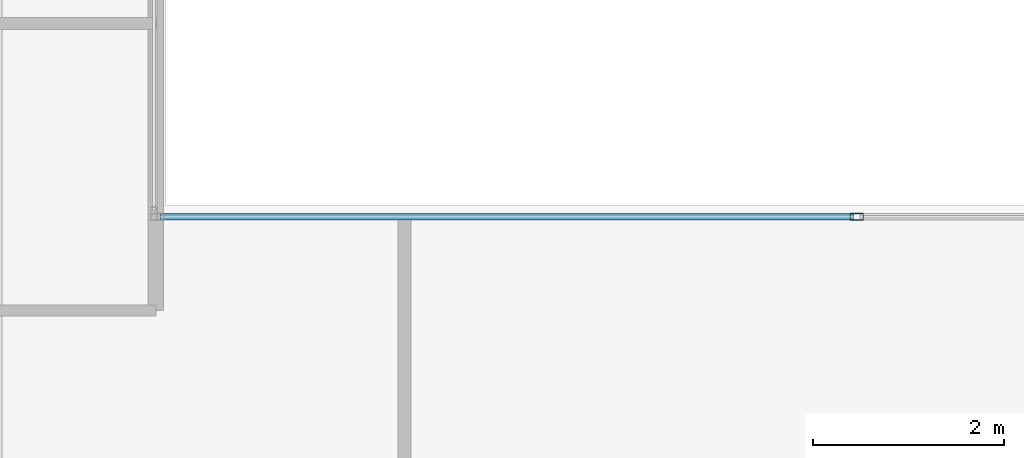
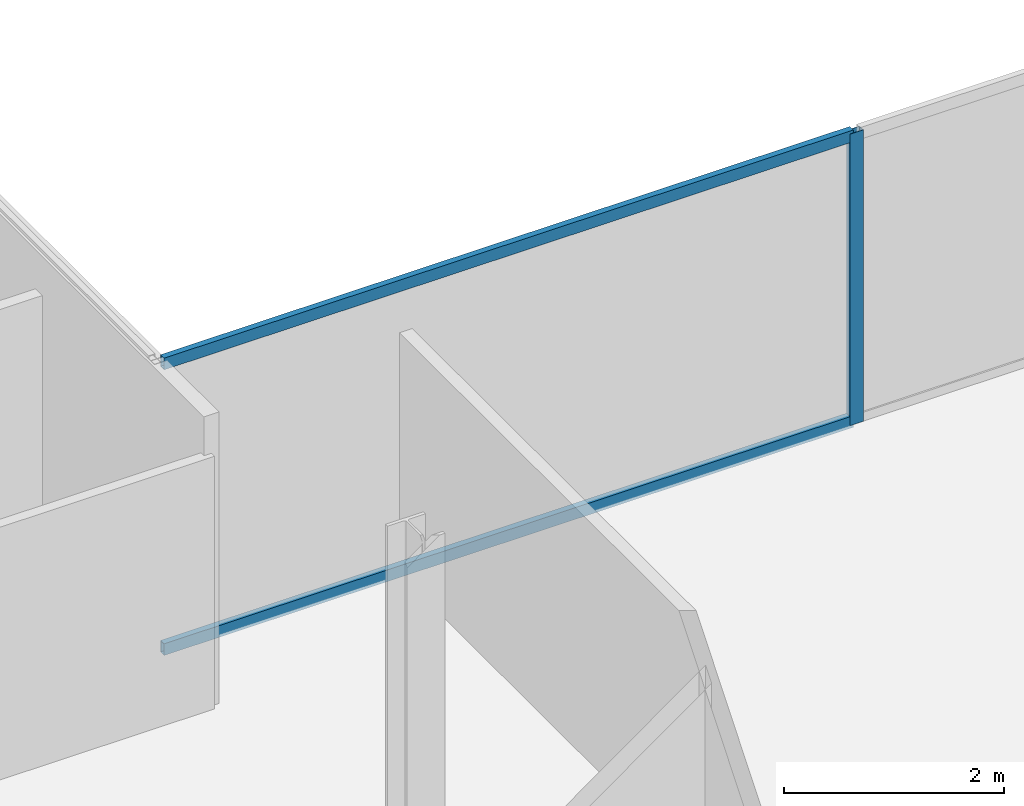
# One storey, part 9 of 23: 3 members, 1 element without a shape of its own.
"""IFC4 building model written with IfcOpenShell, lengths in metres."""

from ifc_helpers import new_model, si_unit, direction, frame, origin, origin_2d, place, context, subcontext, project, spatial, hollow_rectangle, extrude, material, material_profile, profile_set, type_object, element, aggregate, save


model = new_model("IFC4")

# Units and contexts
model_context = context("Model", 3, precision=1e-05, world=origin(), true_north=direction((0.0, 1.0)))
body_context = subcontext(model_context, "Body", "Model", "MODEL_VIEW")
ifc_project = project(units=[si_unit("LENGTHUNIT", "METRE"), si_unit("AREAUNIT", "SQUARE_METRE"), si_unit("VOLUMEUNIT", "CUBIC_METRE"), si_unit("PLANEANGLEUNIT", "RADIAN"), si_unit("MASSUNIT", "GRAM", prefix="KILO")], contexts=[model_context])

# Site, building, storey
site_placement = place(None, origin())
site = spatial("IfcSite", under=ifc_project, at=site_placement, CompositionType="ELEMENT")
building_placement = place(site_placement, origin())
building = spatial("IfcBuilding", under=site, at=building_placement, Name="Cobrela Telecom Tower", CompositionType="ELEMENT")
storey_placement = place(building_placement, frame((0.0, 0.0, 255.14990234375)))
storey = spatial("IfcBuildingStorey", under=building, at=storey_placement, Name="L66", CompositionType="ELEMENT", Elevation=255.14990234375)

# Curtain wall, members
ifc_material = material(Name="Anodized Bronze Aluminium 6063-T6", Category="aluminium")
curtain_wall_type = type_object("IfcCurtainWallType", Name="CW-SYS-OFF-HI", PredefinedType="USERDEFINED", material=ifc_material)
curtain_wall_placement = place(storey_placement, origin())
curtain_wall = element("IfcCurtainWall", 1, at=curtain_wall_placement, inside=storey, type_object=curtain_wall_type, Name="L66 Unitised Bronze Curtain Wall 09", ObjectType="UNITISED CURTAIN WALL", PredefinedType="USERDEFINED")
ifc_material_profile_1 = material_profile(ifc_material, hollow_rectangle(XDim=0.070068359375, YDim=0.139892578125, WallThickness=0.00390625, at=origin_2d()), Name="ALU 70x140x4")
ifc_profile_set_1 = profile_set([ifc_material_profile_1], Name="Anodized Bronze Aluminium 6063-T6")
member_type_1 = type_object("IfcMemberType", Name="CW-SYS-OFF-HI-MUL", PredefinedType="MULLION", material=ifc_profile_set_1)
member_1_placement = place(storey_placement, frame((28.22998046875, 25.080078125, 0.0), z_axis=(0.0, 0.0, 1.0), x_axis=(0.0, 1.0, 0.0)))
member_1 = element("IfcMember", 2, at=member_1_placement, type_object=member_type_1, Name="CW-OFF-HI mullion 2", PredefinedType="MULLION", context=body_context, shape_type="SweptSolid", body=[
    extrude(hollow_rectangle(XDim=0.070068359375, YDim=0.139892578125, WallThickness=0.00390625, at=origin_2d()), origin(), (0.0, 0.0, 1.0), 3.239990234375),
])
ifc_material_profile_2 = material_profile(ifc_material, hollow_rectangle(XDim=0.06494140625, YDim=0.1298828125, WallThickness=0.00390625, at=origin_2d()), Name="ALU 65x130x4")
ifc_profile_set_2 = profile_set([ifc_material_profile_2], Name="Anodized Bronze Aluminium 6063-T6")
member_type_2 = type_object("IfcMemberType", Name="CW-SYS-OFF-HI-TRN", PredefinedType="USERDEFINED", material=ifc_profile_set_2)
member_2_placement = place(storey_placement, frame((20.949951171875, 25.080078125, 0.03271484375), z_axis=(1.0, 0.0, 0.0), x_axis=(0.0, 1.0, 0.0)))
member_2 = element("IfcMember", 3, at=member_2_placement, type_object=member_type_2, Name="CW-OFF-HI transom 1.1", ObjectType="TRANSOM", PredefinedType="USERDEFINED", context=body_context, shape_type="SweptSolid", body=[
    extrude(hollow_rectangle(XDim=0.06494140625, YDim=0.1298828125, WallThickness=0.00390625, at=origin_2d()), origin(), (0.0, 0.0, 1.0), 7.2451171875),
])
member_3_placement = place(storey_placement, frame((20.949951171875, 25.080078125, 3.20751953125), z_axis=(1.0, 0.0, 0.0), x_axis=(0.0, 1.0, 0.0)))
member_3 = element("IfcMember", 4, at=member_3_placement, type_object=member_type_2, Name="CW-OFF-HI transom 1.2", ObjectType="TRANSOM", PredefinedType="USERDEFINED", context=body_context, shape_type="SweptSolid", body=[
    extrude(hollow_rectangle(XDim=0.06494140625, YDim=0.1298828125, WallThickness=0.00390625, at=origin_2d()), origin(), (0.0, 0.0, 1.0), 7.2451171875),
])
aggregate(curtain_wall, [member_1, member_2, member_3])

save(model, "model.ifc")
